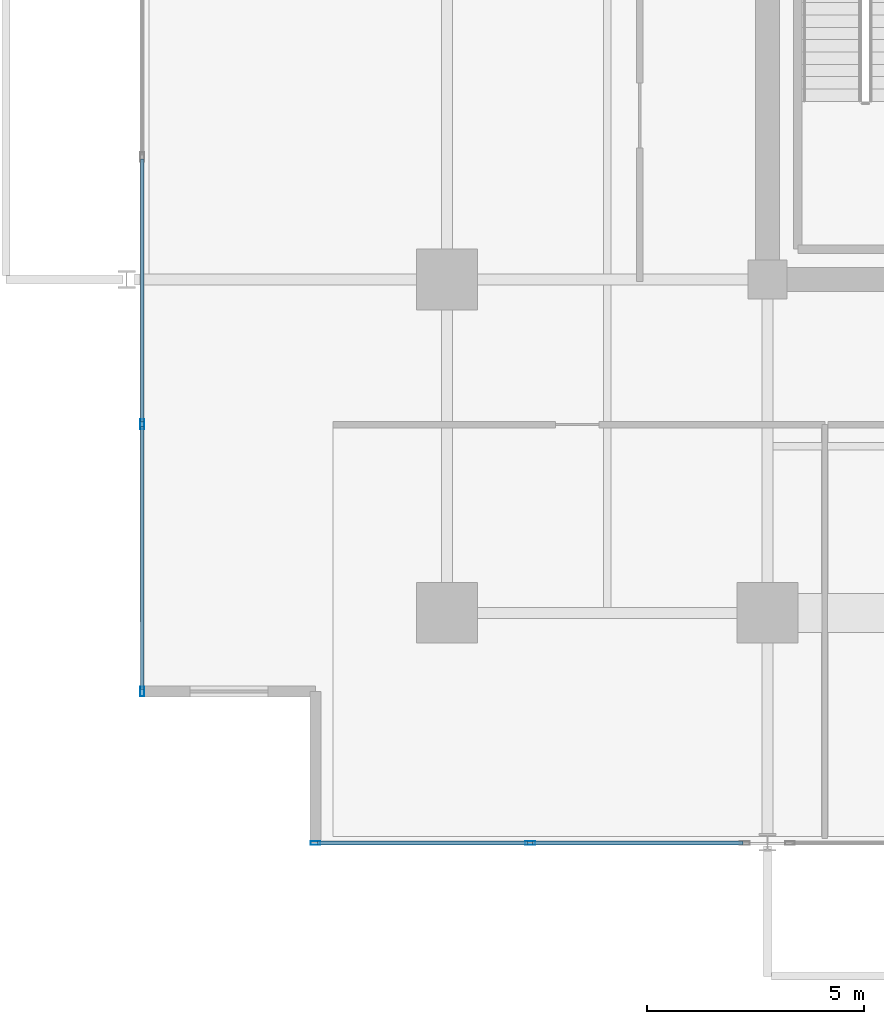
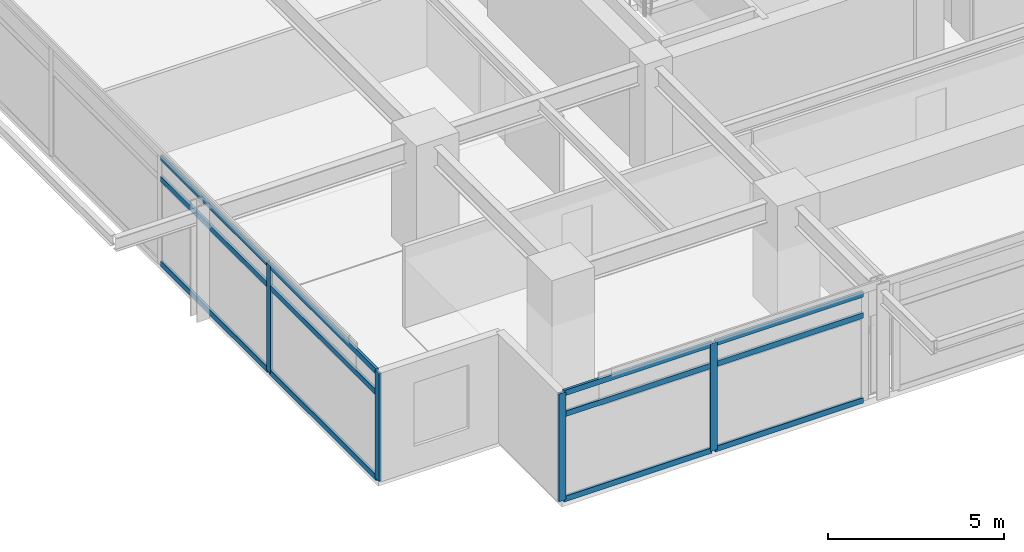
# One storey, part 2 of 21: 16 members, 2 elements without a shape of their own.
"""IFC4 building model written with IfcOpenShell, lengths in metres."""

from ifc_helpers import new_model, si_unit, direction, frame, origin, origin_2d, place, context, subcontext, project, spatial, hollow_rectangle, extrude, material, material_profile, profile_set, type_object, element, aggregate, save


model = new_model("IFC4")

# Units and contexts
model_context = context("Model", 3, precision=1e-05, world=origin(), true_north=direction((0.0, 1.0)))
body_context = subcontext(model_context, "Body", "Model", "MODEL_VIEW")
ifc_project = project(units=[si_unit("LENGTHUNIT", "METRE"), si_unit("AREAUNIT", "SQUARE_METRE"), si_unit("VOLUMEUNIT", "CUBIC_METRE"), si_unit("PLANEANGLEUNIT", "RADIAN"), si_unit("MASSUNIT", "GRAM", prefix="KILO")], contexts=[model_context])

# Site, building, storey
site_placement = place(None, origin())
site = spatial("IfcSite", under=ifc_project, at=site_placement, CompositionType="ELEMENT")
building_placement = place(site_placement, origin())
building = spatial("IfcBuilding", under=site, at=building_placement, Name="Kovane Verandah Tower", CompositionType="ELEMENT")
storey_placement = place(building_placement, frame((0.0, 0.0, 217.199951171875)))
storey = spatial("IfcBuildingStorey", under=building, at=storey_placement, Name="L50", CompositionType="ELEMENT", Elevation=217.199951171875)

# Curtain wall, members
ifc_material_1 = material(Name="Champagne Anodised Aluminium Frame with Low-E Clear Laminated Glass", Category="aluminium")
curtain_wall_type = type_object("IfcCurtainWallType", Name="CW-SYS-03-MID", PredefinedType="NOTDEFINED", material=ifc_material_1)
curtain_wall_1_placement = place(storey_placement, origin())
curtain_wall_1 = element("IfcCurtainWall", 1, at=curtain_wall_1_placement, inside=storey, type_object=curtain_wall_type, Name="L50 S Unitised Curtain Wall-1", PredefinedType="NOTDEFINED")
ifc_material_2 = material(Name="Champagne Anodised Aluminium 6063-T6", Category="aluminium")
ifc_material_profile_1 = material_profile(ifc_material_2, hollow_rectangle(XDim=0.0849609375, YDim=0.22998046875, WallThickness=0.00390625, at=origin_2d()), Name="AL85x230x4")
ifc_profile_set_1 = profile_set([ifc_material_profile_1], Name="Champagne Anodised Aluminium 6063-T6")
member_type_1 = type_object("IfcMemberType", Name="CW-MUL-85x230", PredefinedType="MULLION", material=ifc_profile_set_1)
member_1_placement = place(storey_placement, frame((18.5625, 5.485595703125, 0.02001953125), z_axis=(0.0, 0.0, 1.0), x_axis=(0.0, -1.0, 0.0)))
member_1 = element("IfcMember", 2, at=member_1_placement, type_object=member_type_1, Name="L50 S Unitised Curtain Wall-1 Mullion 1", PredefinedType="MULLION", context=body_context, shape_type="SweptSolid", body=[
    extrude(hollow_rectangle(XDim=0.0849609375, YDim=0.22998046875, WallThickness=0.00390625, at=origin_2d()), origin(), (0.0, 0.0, 1.0), 3.735107421875),
])
member_2_placement = place(storey_placement, frame((23.521240234375, 5.485595703125, 0.02001953125), z_axis=(0.0, 0.0, 1.0), x_axis=(0.0, -1.0, 0.0)))
member_2 = element("IfcMember", 3, at=member_2_placement, type_object=member_type_1, Name="L50 S Unitised Curtain Wall-1 Mullion 2", PredefinedType="MULLION", context=body_context, shape_type="SweptSolid", body=[
    extrude(hollow_rectangle(XDim=0.0849609375, YDim=0.22998046875, WallThickness=0.00390625, at=origin_2d()), origin(), (0.0, 0.0, 1.0), 3.735107421875),
])

curtain_wall_2_placement = place(storey_placement, origin())
curtain_wall_2 = element("IfcCurtainWall", 4, at=curtain_wall_2_placement, inside=storey, type_object=curtain_wall_type, Name="L50 W Unitised Curtain Wall", PredefinedType="NOTDEFINED")
member_3_placement = place(storey_placement, frame((14.5625, 15.156982421875, 0.02001953125), z_axis=(0.0, 0.0, 1.0), x_axis=(-1.0, 0.0, 0.0)))
member_3 = element("IfcMember", 5, at=member_3_placement, type_object=member_type_1, Name="L50 W Unitised Curtain Wall Mullion 6", PredefinedType="MULLION", context=body_context, shape_type="SweptSolid", body=[
    extrude(hollow_rectangle(XDim=0.0849609375, YDim=0.22998046875, WallThickness=0.00390625, at=origin_2d()), origin(), (0.0, 0.0, 1.0), 3.735107421875),
])
member_4_placement = place(storey_placement, frame((14.5625, 8.985595703125, 0.02001953125), z_axis=(0.0, 0.0, 1.0), x_axis=(-1.0, 0.0, 0.0)))
member_4 = element("IfcMember", 6, at=member_4_placement, type_object=member_type_1, Name="L50 W Unitised Curtain Wall Mullion 7", PredefinedType="MULLION", context=body_context, shape_type="SweptSolid", body=[
    extrude(hollow_rectangle(XDim=0.0849609375, YDim=0.22998046875, WallThickness=0.00390625, at=origin_2d()), origin(), (0.0, 0.0, 1.0), 3.735107421875),
])

# Member
ifc_material_profile_2 = material_profile(ifc_material_2, hollow_rectangle(XDim=0.0849609375, YDim=0.18994140625, WallThickness=0.00390625, at=origin_2d()), Name="AL85x190x4")
ifc_profile_set_2 = profile_set([ifc_material_profile_2], Name="Champagne Anodised Aluminium 6063-T6")
member_type_2 = type_object("IfcMemberType", Name="CW-TRN-85x190", PredefinedType="USERDEFINED", material=ifc_profile_set_2)
member_5_placement = place(storey_placement, frame((18.612548828125, 5.485595703125, 0.050048828125), z_axis=(1.0, 0.0, 0.0), x_axis=(0.0, 1.0, 0.0)))
member_5 = element("IfcMember", 7, at=member_5_placement, type_object=member_type_2, Name="L50 S Unitised Curtain Wall-1 Transom TB Bay 1", ObjectType="TRANSOM", PredefinedType="USERDEFINED", context=body_context, shape_type="SweptSolid", body=[
    extrude(hollow_rectangle(XDim=0.0849609375, YDim=0.18994140625, WallThickness=0.00390625, at=origin_2d()), origin(), (0.0, 0.0, 1.0), 4.858642578125),
])

member_6_placement = place(storey_placement, frame((18.612548828125, 5.485595703125, 2.9951171875), z_axis=(1.0, 0.0, 0.0), x_axis=(0.0, 1.0, 0.0)))
member_6 = element("IfcMember", 8, at=member_6_placement, type_object=member_type_2, Name="L50 S Unitised Curtain Wall-1 Transom TM Bay 1", ObjectType="TRANSOM", PredefinedType="USERDEFINED", context=body_context, shape_type="SweptSolid", body=[
    extrude(hollow_rectangle(XDim=0.0849609375, YDim=0.18994140625, WallThickness=0.00390625, at=origin_2d()), origin(), (0.0, 0.0, 1.0), 4.858642578125),
])

member_7_placement = place(storey_placement, frame((18.612548828125, 5.485595703125, 3.72509765625), z_axis=(1.0, 0.0, 0.0), x_axis=(0.0, 1.0, 0.0)))
member_7 = element("IfcMember", 9, at=member_7_placement, type_object=member_type_2, Name="L50 S Unitised Curtain Wall-1 Transom TT Bay 1", ObjectType="TRANSOM", PredefinedType="USERDEFINED", context=body_context, shape_type="SweptSolid", body=[
    extrude(hollow_rectangle(XDim=0.0849609375, YDim=0.18994140625, WallThickness=0.00390625, at=origin_2d()), origin(), (0.0, 0.0, 1.0), 4.858642578125),
])

member_8_placement = place(storey_placement, frame((23.5712890625, 5.485595703125, 0.050048828125), z_axis=(1.0, 0.0, 0.0), x_axis=(0.0, 1.0, 0.0)))
member_8 = element("IfcMember", 10, at=member_8_placement, type_object=member_type_2, Name="L50 S Unitised Curtain Wall-1 Transom TB Bay 2", ObjectType="TRANSOM", PredefinedType="USERDEFINED", context=body_context, shape_type="SweptSolid", body=[
    extrude(hollow_rectangle(XDim=0.0849609375, YDim=0.18994140625, WallThickness=0.00390625, at=origin_2d()), origin(), (0.0, 0.0, 1.0), 4.858642578125),
])

member_9_placement = place(storey_placement, frame((23.5712890625, 5.485595703125, 2.9951171875), z_axis=(1.0, 0.0, 0.0), x_axis=(0.0, 1.0, 0.0)))
member_9 = element("IfcMember", 11, at=member_9_placement, type_object=member_type_2, Name="L50 S Unitised Curtain Wall-1 Transom TM Bay 2", ObjectType="TRANSOM", PredefinedType="USERDEFINED", context=body_context, shape_type="SweptSolid", body=[
    extrude(hollow_rectangle(XDim=0.0849609375, YDim=0.18994140625, WallThickness=0.00390625, at=origin_2d()), origin(), (0.0, 0.0, 1.0), 4.858642578125),
])

member_10_placement = place(storey_placement, frame((23.5712890625, 5.485595703125, 3.72509765625), z_axis=(1.0, 0.0, 0.0), x_axis=(0.0, 1.0, 0.0)))
member_10 = element("IfcMember", 12, at=member_10_placement, type_object=member_type_2, Name="L50 S Unitised Curtain Wall-1 Transom TT Bay 2", ObjectType="TRANSOM", PredefinedType="USERDEFINED", context=body_context, shape_type="SweptSolid", body=[
    extrude(hollow_rectangle(XDim=0.0849609375, YDim=0.18994140625, WallThickness=0.00390625, at=origin_2d()), origin(), (0.0, 0.0, 1.0), 4.858642578125),
])

aggregate(curtain_wall_1, [member_1, member_2, member_5, member_6, member_7, member_8, member_9, member_10])

member_11_placement = place(storey_placement, frame((14.5625, 21.278564453125, 0.050048828125), z_axis=(0.0, -1.0, 0.0), x_axis=(1.0, 0.0, 0.0)))
member_11 = element("IfcMember", 13, at=member_11_placement, type_object=member_type_2, Name="L50 W Unitised Curtain Wall Transom TB Bay 5", ObjectType="TRANSOM", PredefinedType="USERDEFINED", context=body_context, shape_type="SweptSolid", body=[
    extrude(hollow_rectangle(XDim=0.0849609375, YDim=0.18994140625, WallThickness=0.00390625, at=origin_2d()), origin(), (0.0, 0.0, 1.0), 6.071533203125),
])

member_12_placement = place(storey_placement, frame((14.5625, 21.278564453125, 2.9951171875), z_axis=(0.0, -1.0, 0.0), x_axis=(1.0, 0.0, 0.0)))
member_12 = element("IfcMember", 14, at=member_12_placement, type_object=member_type_2, Name="L50 W Unitised Curtain Wall Transom TM Bay 5", ObjectType="TRANSOM", PredefinedType="USERDEFINED", context=body_context, shape_type="SweptSolid", body=[
    extrude(hollow_rectangle(XDim=0.0849609375, YDim=0.18994140625, WallThickness=0.00390625, at=origin_2d()), origin(), (0.0, 0.0, 1.0), 6.071533203125),
])

member_13_placement = place(storey_placement, frame((14.5625, 21.278564453125, 3.72509765625), z_axis=(0.0, -1.0, 0.0), x_axis=(1.0, 0.0, 0.0)))
member_13 = element("IfcMember", 15, at=member_13_placement, type_object=member_type_2, Name="L50 W Unitised Curtain Wall Transom TT Bay 5", ObjectType="TRANSOM", PredefinedType="USERDEFINED", context=body_context, shape_type="SweptSolid", body=[
    extrude(hollow_rectangle(XDim=0.0849609375, YDim=0.18994140625, WallThickness=0.00390625, at=origin_2d()), origin(), (0.0, 0.0, 1.0), 6.071533203125),
])

member_14_placement = place(storey_placement, frame((14.5625, 15.107177734375, 0.050048828125), z_axis=(0.0, -1.0, 0.0), x_axis=(1.0, 0.0, 0.0)))
member_14 = element("IfcMember", 16, at=member_14_placement, type_object=member_type_2, Name="L50 W Unitised Curtain Wall Transom TB Bay 6", ObjectType="TRANSOM", PredefinedType="USERDEFINED", context=body_context, shape_type="SweptSolid", body=[
    extrude(hollow_rectangle(XDim=0.0849609375, YDim=0.18994140625, WallThickness=0.00390625, at=origin_2d()), origin(), (0.0, 0.0, 1.0), 6.071533203125),
])

member_15_placement = place(storey_placement, frame((14.5625, 15.107177734375, 2.9951171875), z_axis=(0.0, -1.0, 0.0), x_axis=(1.0, 0.0, 0.0)))
member_15 = element("IfcMember", 17, at=member_15_placement, type_object=member_type_2, Name="L50 W Unitised Curtain Wall Transom TM Bay 6", ObjectType="TRANSOM", PredefinedType="USERDEFINED", context=body_context, shape_type="SweptSolid", body=[
    extrude(hollow_rectangle(XDim=0.0849609375, YDim=0.18994140625, WallThickness=0.00390625, at=origin_2d()), origin(), (0.0, 0.0, 1.0), 6.071533203125),
])

member_16_placement = place(storey_placement, frame((14.5625, 15.107177734375, 3.72509765625), z_axis=(0.0, -1.0, 0.0), x_axis=(1.0, 0.0, 0.0)))
member_16 = element("IfcMember", 18, at=member_16_placement, type_object=member_type_2, Name="L50 W Unitised Curtain Wall Transom TT Bay 6", ObjectType="TRANSOM", PredefinedType="USERDEFINED", context=body_context, shape_type="SweptSolid", body=[
    extrude(hollow_rectangle(XDim=0.0849609375, YDim=0.18994140625, WallThickness=0.00390625, at=origin_2d()), origin(), (0.0, 0.0, 1.0), 6.071533203125),
])

aggregate(curtain_wall_2, [member_3, member_4, member_11, member_12, member_13, member_14, member_15, member_16])

save(model, "model.ifc")
